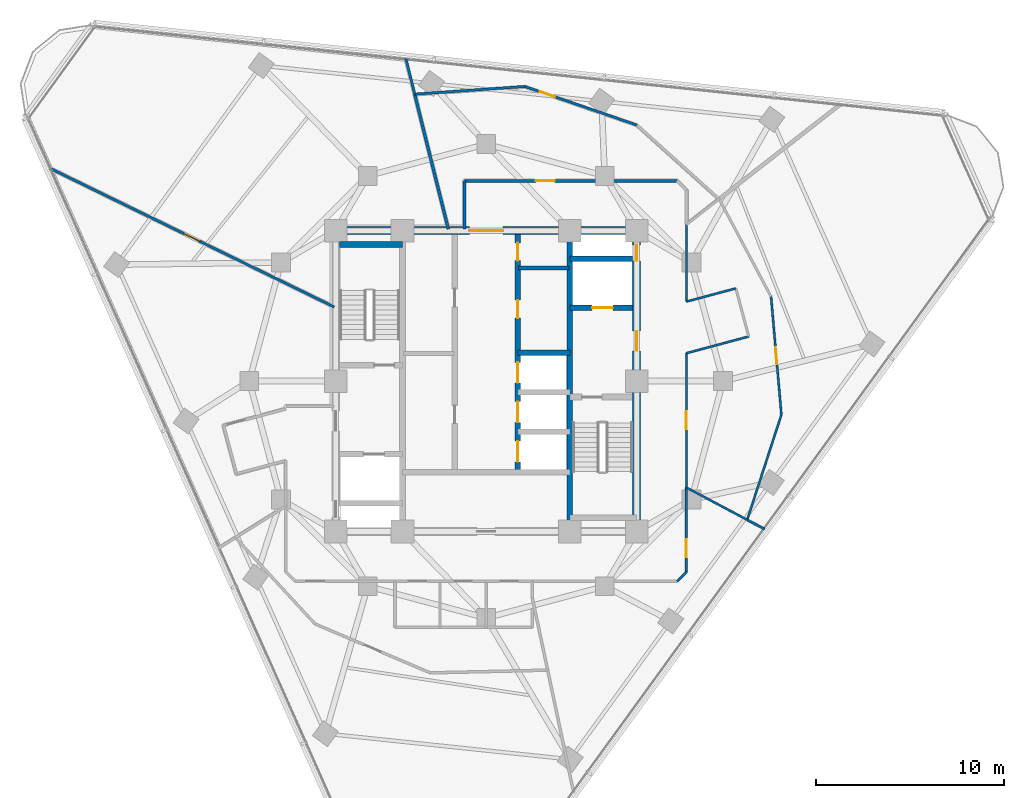
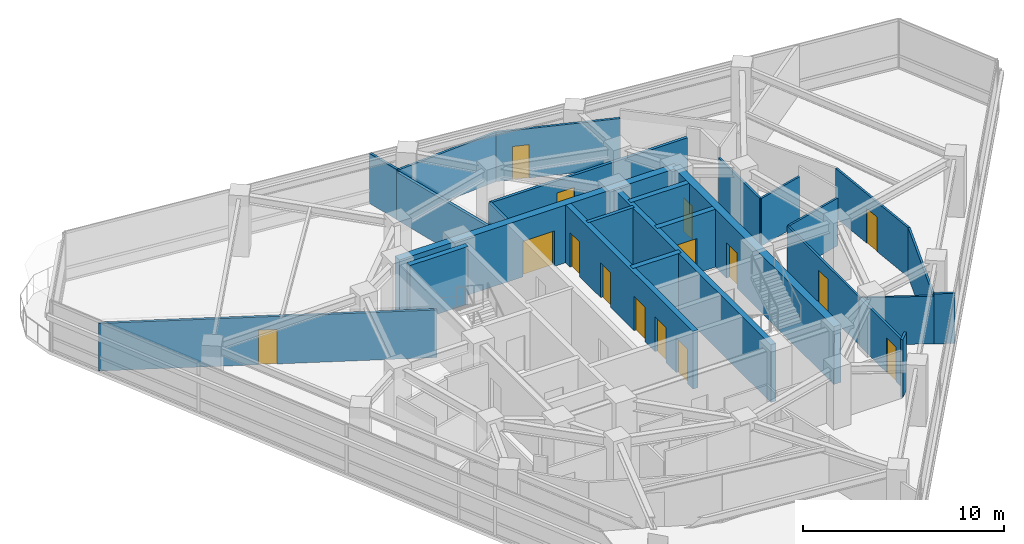
# One storey, part 9 of 14: 26 walls, 15 doors, 15 openings.
"""IFC4 building model written with IfcOpenShell, lengths in metres."""

import ifcopenshell
import ifcopenshell.guid

model = None  # the IFC model being written
_history = None  # IfcOwnerHistory: only IFC2X3 demands one
_inside = {}  # id of a spatial element -> (the spatial element, [elements in it])
_under = {}  # id of a project, library or spatial element -> (it, [spatial elements below it])
_declared = {}  # id of a project -> (the project, [libraries it declares])
_typed = {}  # id of a type object -> (the type object, [elements of that type])
_made_of = {}  # id of a material, layer set ... -> (it, [elements and type objects made of it])


def new_model(schema):
    """Start an empty IFC model of exactly this schema.

    Asked for "IFC4X3", IfcOpenShell would pick the latest addendum, in which some entities
    have other attributes; the version numbers below select the first issue.
    IFC2X3 requires an IfcOwnerHistory on every rooted entity: one is made here for all.
    """
    global model, _history
    if schema == "IFC4X3":
        model = ifcopenshell.file(schema_version=(4, 3, 0, 0))
    else:
        model = ifcopenshell.file(schema=schema)
    _inside.clear()
    _under.clear()
    _declared.clear()
    _typed.clear()
    _made_of.clear()
    _history = None
    if model.schema == "IFC2X3":
        org = make("IfcOrganization", Name="unknown")
        user = make(
            "IfcPersonAndOrganization",
            ThePerson=make("IfcPerson", FamilyName="unknown"),
            TheOrganization=org,
        )
        app = make(
            "IfcApplication",
            ApplicationDeveloper=org,
            Version="unknown",
            ApplicationFullName="unknown",
            ApplicationIdentifier="unknown",
        )
        _history = make(
            "IfcOwnerHistory",
            OwningUser=user,
            OwningApplication=app,
            ChangeAction="ADDED",
            CreationDate=0,
        )
    return model


def make(cls, **values):
    """One entity of the class cls with the attributes given. An attribute that is None is left unset."""
    return model.create_entity(
        cls, **{name: value for name, value in values.items() if value is not None}
    )


def rooted(cls, **values):
    """An entity with a GlobalId (a new one), such as an element, a storey or a relation."""
    return make(cls, GlobalId=ifcopenshell.guid.new(), OwnerHistory=_history, **values)


def si_unit(unit_type, name, prefix=None):
    """IfcSIUnit, for example si_unit("LENGTHUNIT", "METRE", prefix="MILLI")."""
    return make("IfcSIUnit", UnitType=unit_type, Prefix=prefix, Name=name)


def assignment(units):
    """IfcUnitAssignment: the units of a project."""
    return None if units is None else make("IfcUnitAssignment", Units=units)


def point(xyz):
    """IfcCartesianPoint."""
    return None if xyz is None else make("IfcCartesianPoint", Coordinates=xyz)


def direction(xyz):
    """IfcDirection."""
    return None if xyz is None else make("IfcDirection", DirectionRatios=xyz)


def frame(location, z_axis=None, x_axis=None):
    """IfcAxis2Placement3D, a coordinate frame: its origin and axes. An axis left out is left unset."""
    return make(
        "IfcAxis2Placement3D",
        Location=point(location),
        Axis=direction(z_axis),
        RefDirection=direction(x_axis),
    )


def frame_2d(location, x_axis=None):
    """IfcAxis2Placement2D, a coordinate frame in the plane: its origin and x axis."""
    return make(
        "IfcAxis2Placement2D", Location=point(location), RefDirection=direction(x_axis)
    )


def origin():
    """The frame at (0, 0, 0) with its axes left unset."""
    return frame((0.0, 0.0, 0.0))


def place(relative_to, where):
    """IfcLocalPlacement: puts the frame where relative to a parent placement (None: the world)."""
    return make(
        "IfcLocalPlacement", PlacementRelTo=relative_to, RelativePlacement=where
    )


def context(
    kind, dimensions, precision=None, world=None, true_north=None, identifier=None
):
    """IfcGeometricRepresentationContext, for example the 3D "Model" context."""
    return make(
        "IfcGeometricRepresentationContext",
        ContextIdentifier=identifier,
        ContextType=kind,
        CoordinateSpaceDimension=dimensions,
        Precision=precision,
        WorldCoordinateSystem=world,
        TrueNorth=true_north,
    )


def subcontext(parent, identifier, kind, view, scale=None):
    """IfcGeometricRepresentationSubContext, for example "Body" below "Model"."""
    return make(
        "IfcGeometricRepresentationSubContext",
        ContextIdentifier=identifier,
        ContextType=kind,
        ParentContext=parent,
        TargetScale=scale,
        TargetView=view,
    )


def project(units=None, contexts=None):
    """IfcProject with its units and contexts."""
    return rooted(
        "IfcProject",
        Name="project",
        RepresentationContexts=contexts,
        UnitsInContext=assignment(units),
    )


def spatial(cls, under=None, at=None, **own):
    """A site, building, storey or space (cls), placed at a placement, below another one or the project."""
    s = rooted(cls, ObjectPlacement=at, **own)
    if under is not None:
        _under.setdefault(under.id(), (under, []))[1].append(s)
    return s


def profile(cls, at=None, kind="AREA", **sizes):
    """A parametric profile (cls). Its sizes go by their IFC names, for example OverallWidth=200.0."""
    return make(cls, ProfileType=kind, Position=at, **sizes)


def rectangle(**sizes):
    """IfcRectangleProfileDef."""
    return profile("IfcRectangleProfileDef", **sizes)


def extrude(swept, where, along, depth):
    """IfcExtrudedAreaSolid: the profile swept, set in the frame where, extruded along a direction by depth."""
    return make(
        "IfcExtrudedAreaSolid",
        SweptArea=swept,
        Position=where,
        ExtrudedDirection=direction(along),
        Depth=depth,
    )


def shape(context_of_items, identifier, shape_type, items):
    """IfcShapeRepresentation: the items that make up one representation, for example the "Body"."""
    return make(
        "IfcShapeRepresentation",
        ContextOfItems=context_of_items,
        RepresentationIdentifier=identifier,
        RepresentationType=shape_type,
        Items=items,
    )


def material(Name=None, Category=None):
    """IfcMaterial."""
    return make("IfcMaterial", Name=Name, Category=Category)


def layer(
    of_material, thickness, ventilated=None, Name=None, Category=None, Priority=None
):
    """IfcMaterialLayer: one layer of a wall or slab, of a material (None: an air gap)."""
    return make(
        "IfcMaterialLayer",
        Material=of_material,
        LayerThickness=thickness,
        IsVentilated=ventilated,
        Name=Name,
        Category=Category,
        Priority=Priority,
    )


def layer_set(layers, Name=None):
    """IfcMaterialLayerSet."""
    return make("IfcMaterialLayerSet", MaterialLayers=layers, LayerSetName=Name)


def made_of(thing, what):
    """Note that an element or type object is made of a material, layer set ...; save() writes the relation."""
    if what is not None:
        _made_of.setdefault(what.id(), (what, []))[1].append(thing)
    return thing


def type_object(cls, material=None, **own):
    """A type object (cls), such as IfcWallType, which elements share."""
    return made_of(rooted(cls, **own), material)


def element(
    cls,
    number,
    at=None,
    inside=None,
    cuts=None,
    type_object=None,
    material=None,
    context=None,
    identifier="Body",
    shape_type=None,
    held_by="IfcProductDefinitionShape",
    body=None,
    shapes=None,
    **own,
):
    """One element of the class cls, such as IfcWall. Its Tag is "e" and its number.

    at: its placement. inside: the storey or other place that contains it. cuts: it is an
    opening in that element (IfcRelVoidsElement). A single representation is given by context,
    identifier, shape_type and body (its items); several are given by shapes. held_by: the class
    of the entity that holds the representations. save() writes the other relations.
    """
    e = rooted(cls, Tag="e%d" % number, ObjectPlacement=at, **own)
    if body is not None:
        shapes = [shape(context, identifier, shape_type, body)]
    if shapes is not None:
        e.Representation = make(held_by, Representations=shapes)
    if inside is not None:
        _inside.setdefault(inside.id(), (inside, []))[1].append(e)
    if cuts is not None:
        rooted(
            "IfcRelVoidsElement", RelatingBuildingElement=cuts, RelatedOpeningElement=e
        )
    if type_object is not None:
        _typed.setdefault(type_object.id(), (type_object, []))[1].append(e)
    return made_of(e, material)


def fill(opening, filler):
    """IfcRelFillsElement: the door or window that sits in an opening."""
    return rooted(
        "IfcRelFillsElement",
        RelatingOpeningElement=opening,
        RelatedBuildingElement=filler,
    )


def aggregate(whole, parts):
    """IfcRelAggregates: a whole, such as a stair, and the parts it consists of."""
    return rooted("IfcRelAggregates", RelatingObject=whole, RelatedObjects=parts)


def save(model, path):
    """Write the relations noted so far, then the file.

    IfcRelAggregates (storeys below a building ...), IfcRelContainedInSpatialStructure (elements
    in a storey), IfcRelDefinesByType, IfcRelAssociatesMaterial and IfcRelDeclares: one each for
    every whole, place, type object, material and project.
    """
    for whole, parts in _under.values():
        aggregate(whole, parts)
    for where, things in _inside.values():
        rooted(
            "IfcRelContainedInSpatialStructure",
            RelatedElements=things,
            RelatingStructure=where,
        )
    for kind, things in _typed.values():
        rooted("IfcRelDefinesByType", RelatedObjects=things, RelatingType=kind)
    for what, things in _made_of.values():
        rooted("IfcRelAssociatesMaterial", RelatedObjects=things, RelatingMaterial=what)
    for by, libraries in _declared.values():
        rooted("IfcRelDeclares", RelatingContext=by, RelatedDefinitions=libraries)
    model.write(path)


model = new_model("IFC4")

# Units and contexts
model_context = context("Model", 3, precision=1e-05, world=origin(), true_north=direction((0.0, 1.0)))
body_context = subcontext(model_context, "Body", "Model", "MODEL_VIEW")
ifc_project = project(units=[si_unit("LENGTHUNIT", "METRE"), si_unit("AREAUNIT", "SQUARE_METRE"), si_unit("VOLUMEUNIT", "CUBIC_METRE"), si_unit("PLANEANGLEUNIT", "RADIAN"), si_unit("MASSUNIT", "GRAM", prefix="KILO")], contexts=[model_context])

# Site, building, storey
site_placement = place(None, origin())
site = spatial("IfcSite", under=ifc_project, at=site_placement, CompositionType="ELEMENT")
building_placement = place(site_placement, origin())
building = spatial("IfcBuilding", under=site, at=building_placement, Name="Terralouvre Media Tower", CompositionType="ELEMENT")
storey_placement = place(building_placement, frame((0.0, 0.0, 218.89990234375)))
storey = spatial("IfcBuildingStorey", under=building, at=storey_placement, Name="L56", CompositionType="ELEMENT", Elevation=218.89990234375)

# Walls
ifc_material_1 = material(Name="Concrete C50/60", Category="concrete")
ifc_layer_1 = layer(ifc_material_1, 0.300048828125, Name="Core Internal Shaft Wall CW-300")
ifc_layer_set_1 = layer_set([ifc_layer_1], Name="Concrete C50/60")
wall_type_1 = type_object("IfcWallType", Name="Core Internal Shaft Wall CW-300", PredefinedType="SHEAR", material=ifc_layer_set_1)
wall_1_placement = place(storey_placement, frame((4.449951171875, -7.7900390625, 0.0), z_axis=(0.0, 0.0, 1.0), x_axis=(0.0, 1.0, 0.0)))
element("IfcWall", 1, at=wall_1_placement, inside=storey, type_object=wall_type_1, Name="L56 Core Shaft Wall SPE", PredefinedType="SHEAR", context=body_context, shape_type="SweptSolid", body=[
    extrude(rectangle(XDim=15.580078125, YDim=0.300048828125, at=frame_2d((7.7900390625, 0.0))), origin(), (0.0, 0.0, 1.0), 3.5),
])
wall_2_placement = place(storey_placement, frame((-7.7900390625, 7.260009765625, 0.0), z_axis=(0.0, 0.0, 1.0), x_axis=(1.0, 0.0, 0.0)))
element("IfcWall", 2, at=wall_2_placement, inside=storey, type_object=wall_type_1, Name="L56 Core Shaft Wall ST1F", PredefinedType="SHEAR", context=body_context, shape_type="SweptSolid", body=[
    extrude(rectangle(XDim=3.340087890625, YDim=0.300048828125, at=frame_2d((1.669921875, 0.0))), origin(), (0.0, 0.0, 1.0), 3.5),
])

# Wall, opening, door
wall_3_placement = place(storey_placement, frame((4.449951171875, 3.89990234375, 0.0), z_axis=(0.0, 0.0, 1.0), x_axis=(1.0, 0.0, 0.0)))
wall_3 = element("IfcWall", 3, at=wall_3_placement, inside=storey, type_object=wall_type_1, Name="L56 Core Shaft Wall FF2S", PredefinedType="SHEAR", context=body_context, shape_type="SweptSolid", body=[
    extrude(rectangle(XDim=3.340087890625, YDim=0.300048828125, at=frame_2d((1.669921875, 0.0))), origin(), (0.0, 0.0, 1.0), 3.5),
])
opening_1_placement = place(wall_3_placement, frame((1.179931640625, 0.0, 0.0)))
opening_1 = element("IfcOpeningElement", 4, at=opening_1_placement, cuts=wall_3, Name="Opening LD-FF", PredefinedType="OPENING", context=body_context, shape_type="SweptSolid", body=[
    extrude(rectangle(XDim=1.10009765625, YDim=2.10009765625, at=frame_2d((0.550048828125, 1.050048828125))), frame((0.0, 0.159912109375, 0.0), z_axis=(0.0, -1.0, 0.0), x_axis=(1.0, 0.0, 0.0)), (0.0, 0.0, 1.0), 0.320068359375),
])
ifc_material_2 = material(Name="Stainless steel 316 handrail and balustrade", Category="steel")
door_type_1 = type_object("IfcDoorType", Name="Firefighting Lift Sliding Landing Door LD-FF", OperationType="SLIDING_TO_LEFT", PredefinedType="DOOR", material=ifc_material_2)
door_1_placement = place(opening_1_placement, origin())
door_1 = element("IfcDoor", 5, at=door_1_placement, inside=storey, type_object=door_type_1, Name="L56 Firefighting Lift FFL-02 Landing Door", OperationType="SLIDING_TO_LEFT", OverallHeight=2.10009765625, OverallWidth=1.10009765625, PredefinedType="DOOR", context=body_context, shape_type="SweptSolid", body=[
    extrude(rectangle(XDim=1.10009765625, YDim=2.10009765625, at=frame_2d((0.550048828125, 1.050048828125))), frame((0.0, 0.02490234375, 0.0), z_axis=(0.0, -1.0, 0.0), x_axis=(1.0, 0.0, 0.0)), (0.0, 0.0, 1.0), 0.050048828125),
])
fill(opening_1, door_1)

# Wall
wall_4_placement = place(storey_placement, frame((4.449951171875, 6.5, 0.0), z_axis=(0.0, 0.0, 1.0), x_axis=(1.0, 0.0, 0.0)))
element("IfcWall", 6, at=wall_4_placement, inside=storey, type_object=wall_type_1, Name="L56 Core Shaft Wall FF2N", PredefinedType="SHEAR", context=body_context, shape_type="SweptSolid", body=[
    extrude(rectangle(XDim=3.340087890625, YDim=0.300048828125, at=frame_2d((1.669921875, 0.0))), origin(), (0.0, 0.0, 1.0), 3.5),
])

# Wall, openings, doors
wall_5_placement = place(storey_placement, frame((1.679931640625, -4.85009765625, 0.0), z_axis=(0.0, 0.0, 1.0), x_axis=(0.0, 1.0, 0.0)))
wall_5 = element("IfcWall", 7, at=wall_5_placement, inside=storey, type_object=wall_type_1, Name="L56 Core Shaft Wall LBE", PredefinedType="SHEAR", context=body_context, shape_type="SweptSolid", body=[
    extrude(rectangle(XDim=12.64013671875, YDim=0.300048828125, at=frame_2d((6.320068359375, 0.0))), origin(), (0.0, 0.0, 1.0), 3.5),
])
opening_2_placement = place(wall_5_placement, frame((0.550048828125, 0.0, 0.0)))
opening_2 = element("IfcOpeningElement", 8, at=opening_2_placement, cuts=wall_5, Name="Opening LD-PL", PredefinedType="OPENING", context=body_context, shape_type="SweptSolid", body=[
    extrude(rectangle(XDim=1.10009765625, YDim=2.10009765625, at=frame_2d((0.550048828125, 1.050048828125))), frame((0.0, 0.159912109375, 0.0), z_axis=(0.0, -1.0, 0.0), x_axis=(1.0, 0.0, 0.0)), (0.0, 0.0, 1.0), 0.320068359375),
])
opening_3_placement = place(wall_5_placement, frame((2.64990234375, 0.0, 0.0)))
opening_3 = element("IfcOpeningElement", 9, at=opening_3_placement, cuts=wall_5, Name="Opening LD-PL", PredefinedType="OPENING", context=body_context, shape_type="SweptSolid", body=[
    extrude(rectangle(XDim=1.10009765625, YDim=2.10009765625, at=frame_2d((0.550048828125, 1.050048828125))), frame((0.0, 0.159912109375, 0.0), z_axis=(0.0, -1.0, 0.0), x_axis=(1.0, 0.0, 0.0)), (0.0, 0.0, 1.0), 0.320068359375),
])
opening_4_placement = place(wall_5_placement, frame((4.75, 0.0, 0.0)))
opening_4 = element("IfcOpeningElement", 10, at=opening_4_placement, cuts=wall_5, Name="Opening LD-PL", PredefinedType="OPENING", context=body_context, shape_type="SweptSolid", body=[
    extrude(rectangle(XDim=1.10009765625, YDim=2.10009765625, at=frame_2d((0.550048828125, 1.050048828125))), frame((0.0, 0.159912109375, 0.0), z_axis=(0.0, -1.0, 0.0), x_axis=(1.0, 0.0, 0.0)), (0.0, 0.0, 1.0), 0.320068359375),
])
opening_5_placement = place(wall_5_placement, frame((8.199951171875, 0.0, 0.0)))
opening_5 = element("IfcOpeningElement", 11, at=opening_5_placement, cuts=wall_5, Name="Opening FD-02-95X210", PredefinedType="OPENING", context=body_context, shape_type="SweptSolid", body=[
    extrude(rectangle(XDim=0.949951171875, YDim=2.10009765625, at=frame_2d((0.47509765625, 1.050048828125))), frame((0.0, 0.159912109375, 0.0), z_axis=(0.0, -1.0, 0.0), x_axis=(1.0, 0.0, 0.0)), (0.0, 0.0, 1.0), 0.320068359375),
])
opening_6_placement = place(wall_5_placement, frame((11.25, 0.0, 0.0)))
opening_6 = element("IfcOpeningElement", 12, at=opening_6_placement, cuts=wall_5, Name="Opening SD-02", PredefinedType="OPENING", context=body_context, shape_type="SweptSolid", body=[
    extrude(rectangle(XDim=0.949951171875, YDim=2.10009765625, at=frame_2d((0.47509765625, 1.050048828125))), frame((0.0, 0.159912109375, 0.0), z_axis=(0.0, -1.0, 0.0), x_axis=(1.0, 0.0, 0.0)), (0.0, 0.0, 1.0), 0.320068359375),
])
ifc_material_3 = material(Name="Galvanised steel fire-resisting leaf", Category="steel")
door_type_2 = type_object("IfcDoorType", Name="Core Service Sliding Fire Door SD-02", OperationType="SLIDING_TO_LEFT", PredefinedType="DOOR", material=ifc_material_3)
door_2_placement = place(opening_6_placement, origin())
door_2 = element("IfcDoor", 13, at=door_2_placement, inside=storey, type_object=door_type_2, Name="L56 Core Hospitality Store Door", OperationType="SLIDING_TO_LEFT", OverallHeight=2.10009765625, OverallWidth=0.949951171875, PredefinedType="DOOR", context=body_context, shape_type="SweptSolid", body=[
    extrude(rectangle(XDim=0.949951171875, YDim=2.10009765625, at=frame_2d((0.47509765625, 1.050048828125))), frame((0.0, 0.02490234375, 0.0), z_axis=(0.0, -1.0, 0.0), x_axis=(1.0, 0.0, 0.0)), (0.0, 0.0, 1.0), 0.050048828125),
])
fill(opening_6, door_2)
ifc_material_4 = material(Name="Stainless steel 316 handrail and balustrade", Category="steel")
door_type_3 = type_object("IfcDoorType", Name="Passenger Lift Sliding Landing Door LD-PL", OperationType="SLIDING_TO_LEFT", PredefinedType="DOOR", material=ifc_material_4)
door_3_placement = place(opening_2_placement, origin())
door_3 = element("IfcDoor", 14, at=door_3_placement, inside=storey, type_object=door_type_3, Name="L56 High-Rise Lift PL-H1 Landing Door", OperationType="SLIDING_TO_LEFT", OverallHeight=2.10009765625, OverallWidth=1.10009765625, PredefinedType="DOOR", context=body_context, shape_type="SweptSolid", body=[
    extrude(rectangle(XDim=1.10009765625, YDim=2.10009765625, at=frame_2d((0.550048828125, 1.050048828125))), frame((0.0, 0.02490234375, 0.0), z_axis=(0.0, -1.0, 0.0), x_axis=(1.0, 0.0, 0.0)), (0.0, 0.0, 1.0), 0.050048828125),
])
fill(opening_2, door_3)
door_4_placement = place(opening_3_placement, origin())
door_4 = element("IfcDoor", 15, at=door_4_placement, inside=storey, type_object=door_type_3, Name="L56 High-Rise Lift PL-H2 Landing Door", OperationType="SLIDING_TO_LEFT", OverallHeight=2.10009765625, OverallWidth=1.10009765625, PredefinedType="DOOR", context=body_context, shape_type="SweptSolid", body=[
    extrude(rectangle(XDim=1.10009765625, YDim=2.10009765625, at=frame_2d((0.550048828125, 1.050048828125))), frame((0.0, 0.02490234375, 0.0), z_axis=(0.0, -1.0, 0.0), x_axis=(1.0, 0.0, 0.0)), (0.0, 0.0, 1.0), 0.050048828125),
])
fill(opening_3, door_4)
door_5_placement = place(opening_4_placement, origin())
door_5 = element("IfcDoor", 16, at=door_5_placement, inside=storey, type_object=door_type_3, Name="L56 High-Rise Lift PL-H3 Landing Door", OperationType="SLIDING_TO_LEFT", OverallHeight=2.10009765625, OverallWidth=1.10009765625, PredefinedType="DOOR", context=body_context, shape_type="SweptSolid", body=[
    extrude(rectangle(XDim=1.10009765625, YDim=2.10009765625, at=frame_2d((0.550048828125, 1.050048828125))), frame((0.0, 0.02490234375, 0.0), z_axis=(0.0, -1.0, 0.0), x_axis=(1.0, 0.0, 0.0)), (0.0, 0.0, 1.0), 0.050048828125),
])
fill(opening_4, door_5)
ifc_material_5 = material(Name="Galvanised steel fire-resisting leaf", Category="steel")
door_type_4 = type_object("IfcDoorType", Name="Plant and Riser Fire Door FD-02 (950x2100)", OperationType="NOTDEFINED", PredefinedType="DOOR", material=ifc_material_5)
door_6_placement = place(opening_5_placement, origin())
door_6 = element("IfcDoor", 17, at=door_6_placement, inside=storey, type_object=door_type_4, Name="L56 Core Telemetry Plant Door", OperationType="SINGLE_SWING_RIGHT", OverallHeight=2.10009765625, OverallWidth=0.949951171875, PredefinedType="DOOR", context=body_context, shape_type="SweptSolid", body=[
    extrude(rectangle(XDim=0.949951171875, YDim=2.10009765625, at=frame_2d((0.47509765625, 1.050048828125))), frame((0.0, 0.02490234375, 0.0), z_axis=(0.0, -1.0, 0.0), x_axis=(1.0, 0.0, 0.0)), (0.0, 0.0, 1.0), 0.050048828125),
])
fill(opening_5, door_6)

# Wall
wall_6_placement = place(storey_placement, frame((1.679931640625, 1.5, 0.0), z_axis=(0.0, 0.0, 1.0), x_axis=(1.0, 0.0, 0.0)))
element("IfcWall", 18, at=wall_6_placement, inside=storey, type_object=wall_type_1, Name="L56 Core Shaft Wall PLMBOT", PredefinedType="SHEAR", context=body_context, shape_type="SweptSolid", body=[
    extrude(rectangle(XDim=2.77001953125, YDim=0.300048828125, at=frame_2d((1.385009765625, 0.0))), origin(), (0.0, 0.0, 1.0), 3.5),
])

# Wall, openings, doors
ifc_material_6 = material(Name="Concrete C60/75", Category="concrete")
ifc_layer_2 = layer(ifc_material_6, 0.419921875, Name="Core Reinforced Concrete Shear Wall CW-420")
ifc_layer_set_2 = layer_set([ifc_layer_2], Name="Concrete C60/75")
wall_type_2 = type_object("IfcWallType", Name="Core Reinforced Concrete Shear Wall CW-420", PredefinedType="SHEAR", material=ifc_layer_set_2)
wall_7_placement = place(storey_placement, frame((8.0, -8.0, 0.0), z_axis=(0.0, 0.0, 1.0), x_axis=(0.0, 1.0, 0.0)))
wall_7 = element("IfcWall", 19, at=wall_7_placement, inside=storey, type_object=wall_type_2, Name="L56 E Core Shear Wall", PredefinedType="SHEAR", context=body_context, shape_type="SweptSolid", body=[
    extrude(rectangle(XDim=16.0, YDim=0.419921875, at=frame_2d((8.0, 0.0))), origin(), (0.0, 0.0, 1.0), 3.5),
])
opening_7_placement = place(wall_7_placement, frame((9.60009765625, 0.0, 0.0)))
opening_7 = element("IfcOpeningElement", 20, at=opening_7_placement, cuts=wall_7, Name="Opening FD-01-105X215", PredefinedType="OPENING", context=body_context, shape_type="SweptSolid", body=[
    extrude(rectangle(XDim=1.050048828125, YDim=2.14990234375, at=frame_2d((0.52490234375, 1.074951171875))), frame((0.0, 0.219970703125, 0.0), z_axis=(0.0, -1.0, 0.0), x_axis=(1.0, 0.0, 0.0)), (0.0, 0.0, 1.0), 0.43994140625),
])
opening_8_placement = place(wall_7_placement, frame((14.388671875, 0.0, 0.0)))
opening_8 = element("IfcOpeningElement", 21, at=opening_8_placement, cuts=wall_7, Name="Opening TD-R1", PredefinedType="OPENING", context=body_context, shape_type="SweptSolid", body=[
    extrude(rectangle(XDim=0.85009765625, YDim=2.02001953125, at=frame_2d((0.425048828125, 1.010009765625))), frame((0.0, 0.219970703125, 0.0), z_axis=(0.0, -1.0, 0.0), x_axis=(1.0, 0.0, 0.0)), (0.0, 0.0, 1.0), 0.43994140625),
])
ifc_material_7 = material(Name="Galvanised steel fire-resisting leaf", Category="steel")
door_type_5 = type_object("IfcDoorType", Name="Riser Inspection Access Trapdoor TD-R1", OperationType="NOTDEFINED", PredefinedType="TRAPDOOR", material=ifc_material_7)
door_7_placement = place(opening_8_placement, origin())
door_7 = element("IfcDoor", 22, at=door_7_placement, inside=storey, type_object=door_type_5, Name="L56 East Comms Riser Access Trapdoor", OperationType="SINGLE_SWING_RIGHT", OverallHeight=2.02001953125, OverallWidth=0.85009765625, PredefinedType="TRAPDOOR", context=body_context, shape_type="SweptSolid", body=[
    extrude(rectangle(XDim=0.85009765625, YDim=2.02001953125, at=frame_2d((0.425048828125, 1.010009765625))), frame((0.0, 0.02490234375, 0.0), z_axis=(0.0, -1.0, 0.0), x_axis=(1.0, 0.0, 0.0)), (0.0, 0.0, 1.0), 0.050048828125),
])
fill(opening_8, door_7)
ifc_material_8 = material(Name="Galvanised steel fire-resisting leaf", Category="steel")
door_type_6 = type_object("IfcDoorType", Name="Stair and Firefighting Lobby Fire Door FD-01 (1050x2150)", OperationType="NOTDEFINED", PredefinedType="DOOR", material=ifc_material_8)
door_8_placement = place(opening_7_placement, origin())
door_8 = element("IfcDoor", 23, at=door_8_placement, inside=storey, type_object=door_type_6, Name="L56 East Firefighting Lobby Entry Door", OperationType="SINGLE_SWING_LEFT", OverallHeight=2.14990234375, OverallWidth=1.050048828125, PredefinedType="DOOR", context=body_context, shape_type="SweptSolid", body=[
    extrude(rectangle(XDim=1.050048828125, YDim=2.14990234375, at=frame_2d((0.52490234375, 1.074951171875))), frame((0.0, 0.02490234375, 0.0), z_axis=(0.0, -1.0, 0.0), x_axis=(1.0, 0.0, 0.0)), (0.0, 0.0, 1.0), 0.050048828125),
])
fill(opening_7, door_8)

# Wall, opening, door
wall_8_placement = place(storey_placement, frame((-8.0, 8.0, 0.0), z_axis=(0.0, 0.0, 1.0), x_axis=(1.0, 0.0, 0.0)))
wall_8 = element("IfcWall", 24, at=wall_8_placement, inside=storey, type_object=wall_type_2, Name="L56 N Core Shear Wall", PredefinedType="SHEAR", context=body_context, shape_type="SweptSolid", body=[
    extrude(rectangle(XDim=16.0, YDim=0.419921875, at=frame_2d((8.0, 0.0))), origin(), (0.0, 0.0, 1.0), 3.5),
])
opening_9_placement = place(wall_8_placement, frame((7.10009765625, 0.0, 0.0)))
opening_9 = element("IfcOpeningElement", 25, at=opening_9_placement, cuts=wall_8, Name="Opening FD-03", PredefinedType="OPENING", context=body_context, shape_type="SweptSolid", body=[
    extrude(rectangle(XDim=1.800048828125, YDim=2.14990234375, at=frame_2d((0.89990234375, 1.074951171875))), frame((0.0, 0.219970703125, 0.0), z_axis=(0.0, -1.0, 0.0), x_axis=(1.0, 0.0, 0.0)), (0.0, 0.0, 1.0), 0.43994140625),
])
ifc_material_9 = material(Name="Galvanised steel fire-resisting leaf", Category="steel")
door_type_7 = type_object("IfcDoorType", Name="Corridor Smoke-Control Double Door FD-03", OperationType="DOUBLE_DOOR_SINGLE_SWING", PredefinedType="DOOR", material=ifc_material_9)
door_9_placement = place(opening_9_placement, origin())
door_9 = element("IfcDoor", 26, at=door_9_placement, inside=storey, type_object=door_type_7, Name="L56 Central Lift Lobby Portal Door", OperationType="DOUBLE_DOOR_SINGLE_SWING", OverallHeight=2.14990234375, OverallWidth=1.800048828125, PredefinedType="DOOR", context=body_context, shape_type="SweptSolid", body=[
    extrude(rectangle(XDim=1.800048828125, YDim=2.14990234375, at=frame_2d((0.89990234375, 1.074951171875))), frame((0.0, 0.02490234375, 0.0), z_axis=(0.0, -1.0, 0.0), x_axis=(1.0, 0.0, 0.0)), (0.0, 0.0, 1.0), 0.050048828125),
])
fill(opening_9, door_9)

# Walls
ifc_material_10 = material(Name="Fire-rated gypsum board drywall partition")
ifc_layer_3 = layer(ifc_material_10, 0.199951171875, Name="Fire-Rated Shaft and Lobby Partition FW-200")
ifc_layer_set_3 = layer_set([ifc_layer_3], Name="Fire-rated gypsum board drywall partition")
wall_type_3 = type_object("IfcWallType", Name="Fire-Rated Shaft and Lobby Partition FW-200", PredefinedType="SOLIDWALL", material=ifc_layer_set_3)
wall_9_placement = place(storey_placement, frame((1.719970703125, 6.010009765625, 0.0), z_axis=(0.0, 0.0, 1.0), x_axis=(1.0, 0.0, 0.0)))
element("IfcWall", 27, at=wall_9_placement, inside=storey, type_object=wall_type_3, Name="L56 Core East Sub-Partition 1", PredefinedType="SOLIDWALL", context=body_context, shape_type="SweptSolid", body=[
    extrude(rectangle(XDim=2.679931640625, YDim=0.199951171875, at=frame_2d((1.33984375, 0.0))), origin(), (0.0, 0.0, 1.0), 3.5),
])
ifc_material_11 = material(Name="Fire-rated gypsum board drywall partition")
ifc_layer_4 = layer(ifc_material_11, 0.135009765625, Name="Newsroom Acoustic Partition PT-135")
ifc_layer_set_4 = layer_set([ifc_layer_4], Name="Fire-rated gypsum board drywall partition")
wall_type_4 = type_object("IfcWallType", Name="Newsroom Acoustic Partition PT-135", PredefinedType="PARTITIONING", material=ifc_layer_set_4)
wall_10_placement = place(storey_placement, frame((10.14990234375, -10.64990234375, 0.0), z_axis=(0.0, 0.0, 1.0), x_axis=(0.707106781187, 0.707106781187, 0.0)))
element("IfcWall", 28, at=wall_10_placement, inside=storey, type_object=wall_type_4, Name="L56 Interior Partition 018", PredefinedType="PARTITIONING", context=body_context, shape_type="SweptSolid", body=[
    extrude(rectangle(XDim=0.70703125, YDim=0.135009765625, at=frame_2d((0.353515625, 0.0))), origin(), (0.0, 0.0, 1.0), 3.5),
])

# Wall, opening, door
wall_11_placement = place(storey_placement, frame((10.64990234375, -10.14990234375, 0.0), z_axis=(0.0, 0.0, 1.0), x_axis=(0.0, 1.0, 0.0)))
wall_11 = element("IfcWall", 29, at=wall_11_placement, inside=storey, type_object=wall_type_4, Name="L56 Interior Partition 019", PredefinedType="PARTITIONING", context=body_context, shape_type="SweptSolid", body=[
    extrude(rectangle(XDim=4.48681640625, YDim=0.135009765625, at=frame_2d((2.243408203125, 0.0))), origin(), (0.0, 0.0, 1.0), 2.885009765625),
])
opening_10_placement = place(wall_11_placement, frame((0.781494140625, 0.0, 0.0)))
opening_10 = element("IfcOpeningElement", 30, at=opening_10_placement, cuts=wall_11, Name="Opening ID-02-95X210", PredefinedType="OPENING", context=body_context, shape_type="SweptSolid", body=[
    extrude(rectangle(XDim=0.949951171875, YDim=2.10009765625, at=frame_2d((0.47509765625, 1.050048828125))), frame((0.0, 0.077392578125, 0.0), z_axis=(0.0, -1.0, 0.0), x_axis=(1.0, 0.0, 0.0)), (0.0, 0.0, 1.0), 0.155029296875),
])
ifc_material_12 = material(Name="Engineered hardwood acoustic timber leaf", Category="wood")
door_type_8 = type_object("IfcDoorType", Name="Office and Meeting Room Door ID-02 (950x2100)", OperationType="NOTDEFINED", PredefinedType="DOOR", material=ifc_material_12)
door_10_placement = place(opening_10_placement, origin())
door_10 = element("IfcDoor", 31, at=door_10_placement, inside=storey, type_object=door_type_8, Name="L56 VIP Visitor Reception 5 Door", OperationType="SINGLE_SWING_RIGHT", OverallHeight=2.10009765625, OverallWidth=0.949951171875, PredefinedType="DOOR", context=body_context, shape_type="SweptSolid", body=[
    extrude(rectangle(XDim=0.949951171875, YDim=2.10009765625, at=frame_2d((0.47509765625, 1.050048828125))), frame((0.0, 0.02490234375, 0.0), z_axis=(0.0, -1.0, 0.0), x_axis=(1.0, 0.0, 0.0)), (0.0, 0.0, 1.0), 0.050048828125),
])
fill(opening_10, door_10)

wall_12_placement = place(storey_placement, frame((-8.080078125, 3.940673828125, 0.0), z_axis=(0.0, 0.0, 1.0), x_axis=(-0.898787530524, 0.438384505856, 0.0)))
wall_12 = element("IfcWall", 32, at=wall_12_placement, inside=storey, type_object=wall_type_4, Name="L56 Interior Partition 026", PredefinedType="PARTITIONING", context=body_context, shape_type="SweptSolid", body=[
    extrude(rectangle(XDim=16.842529296875, YDim=0.135009765625, at=frame_2d((8.42138671875, 0.0))), origin(), (0.0, 0.0, 1.0), 2.885009765625),
])
opening_11_placement = place(wall_12_placement, frame((7.96142578125, 0.0, 0.0)))
opening_11 = element("IfcOpeningElement", 33, at=opening_11_placement, cuts=wall_12, Name="Opening ID-03-92X210", PredefinedType="OPENING", context=body_context, shape_type="SweptSolid", body=[
    extrude(rectangle(XDim=0.919921875, YDim=2.10009765625, at=frame_2d((0.4599609375, 1.050048828125))), frame((0.0, 0.077392578125, 0.0), z_axis=(0.0, -1.0, 0.0), x_axis=(1.0, 0.0, 0.0)), (0.0, 0.0, 1.0), 0.155029296875),
])
ifc_material_13 = material(Name="Engineered hardwood acoustic timber leaf", Category="wood")
door_type_9 = type_object("IfcDoorType", Name="Accessible Restroom and Suite Door ID-03 (920x2100)", OperationType="NOTDEFINED", PredefinedType="DOOR", material=ifc_material_13)
door_11_placement = place(opening_11_placement, origin())
door_11 = element("IfcDoor", 34, at=door_11_placement, inside=storey, type_object=door_type_9, Name="L56 Network Executive Boardroom 9 Door", OperationType="SINGLE_SWING_LEFT", OverallHeight=2.10009765625, OverallWidth=0.919921875, PredefinedType="DOOR", context=body_context, shape_type="SweptSolid", body=[
    extrude(rectangle(XDim=0.919921875, YDim=2.10009765625, at=frame_2d((0.4599609375, 1.050048828125))), frame((0.0, 0.02490234375, 0.0), z_axis=(0.0, -1.0, 0.0), x_axis=(1.0, 0.0, 0.0)), (0.0, 0.0, 1.0), 0.050048828125),
])
fill(opening_11, door_11)

# Walls
wall_13_placement = place(storey_placement, frame((14.805419921875, -7.871826171875, 0.0), z_axis=(0.0, 0.0, 1.0), x_axis=(-0.883242549552, 0.468916409033, 0.0)))
element("IfcWall", 35, at=wall_13_placement, inside=storey, type_object=wall_type_4, Name="L56 Interior Partition 045", PredefinedType="PARTITIONING", context=body_context, shape_type="SweptSolid", body=[
    extrude(rectangle(XDim=1.04638671875, YDim=0.135009765625, at=frame_2d((0.523193359375, 0.0))), origin(), (0.0, 0.0, 1.0), 3.03515625),
])
wall_14_placement = place(storey_placement, frame((-3.802978515625, 15.2548828125, 0.0), z_axis=(0.0, 0.0, 1.0), x_axis=(0.997563622011, 0.069762597718, 0.0)))
element("IfcWall", 36, at=wall_14_placement, inside=storey, type_object=wall_type_4, Name="L56 Interior Partition 047", PredefinedType="PARTITIONING", context=body_context, shape_type="SweptSolid", body=[
    extrude(rectangle(XDim=5.87939453125, YDim=0.135009765625, at=frame_2d((2.939697265625, 0.0))), origin(), (0.0, 0.0, 1.0), 2.985107421875),
])

# Wall, opening, door
wall_15_placement = place(storey_placement, frame((2.06201171875, 15.6650390625, 0.0), z_axis=(0.0, 0.0, 1.0), x_axis=(0.94552565825, -0.32554758422, 0.0)))
wall_15 = element("IfcWall", 37, at=wall_15_placement, inside=storey, type_object=wall_type_4, Name="L56 Interior Partition 048", PredefinedType="PARTITIONING", context=body_context, shape_type="SweptSolid", body=[
    extrude(rectangle(XDim=6.30029296875, YDim=0.135009765625, at=frame_2d((3.150146484375, 0.0))), origin(), (0.0, 0.0, 1.0), 2.985107421875),
])
opening_12_placement = place(wall_15_placement, frame((0.8349609375, 0.0, 0.0)))
opening_12 = element("IfcOpeningElement", 38, at=opening_12_placement, cuts=wall_15, Name="Opening TD-R1", PredefinedType="OPENING", context=body_context, shape_type="SweptSolid", body=[
    extrude(rectangle(XDim=0.85009765625, YDim=2.02001953125, at=frame_2d((0.425048828125, 1.010009765625))), frame((0.0, 0.077392578125, 0.0), z_axis=(0.0, -1.0, 0.0), x_axis=(1.0, 0.0, 0.0)), (0.0, 0.0, 1.0), 0.155029296875),
])
door_12_placement = place(opening_12_placement, origin())
door_12 = element("IfcDoor", 39, at=door_12_placement, inside=storey, type_object=door_type_5, Name="L56 Company Secretary Office 7 Door", OperationType="SINGLE_SWING_RIGHT", OverallHeight=2.02001953125, OverallWidth=0.85009765625, PredefinedType="TRAPDOOR", context=body_context, shape_type="SweptSolid", body=[
    extrude(rectangle(XDim=0.85009765625, YDim=2.02001953125, at=frame_2d((0.425048828125, 1.010009765625))), frame((0.0, 0.02490234375, 0.0), z_axis=(0.0, -1.0, 0.0), x_axis=(1.0, 0.0, 0.0)), (0.0, 0.0, 1.0), 0.050048828125),
])
fill(opening_12, door_12)

# Wall
wall_16_placement = place(storey_placement, frame((-4.275390625, 17.1455078125, 0.0), z_axis=(0.0, 0.0, 1.0), x_axis=(0.242417712213, -0.970171970738, 0.0)))
element("IfcWall", 40, at=wall_16_placement, inside=storey, type_object=wall_type_4, Name="L56 Interior Partition 050", PredefinedType="PARTITIONING", context=body_context, shape_type="SweptSolid", body=[
    extrude(rectangle(XDim=1.94873046875, YDim=0.135009765625, at=frame_2d((0.974365234375, 0.0))), origin(), (0.0, 0.0, 1.0), 3.03515625),
])

# Wall, opening, door
ifc_material_14 = material(Name="Fire-rated gypsum board drywall partition")
ifc_layer_5 = layer(ifc_material_14, 0.114990234375, Name="Restroom and Pantry Partition PT-115")
ifc_layer_set_5 = layer_set([ifc_layer_5], Name="Fire-rated gypsum board drywall partition")
wall_type_5 = type_object("IfcWallType", Name="Restroom and Pantry Partition PT-115", PredefinedType="PARTITIONING", material=ifc_layer_set_5)
wall_17_placement = place(storey_placement, frame((10.64990234375, -5.6630859375, 0.0), z_axis=(0.0, 0.0, 1.0), x_axis=(0.0, 1.0, 0.0)))
wall_17 = element("IfcWall", 41, at=wall_17_placement, inside=storey, type_object=wall_type_5, Name="L56 Interior Partition 006", PredefinedType="PARTITIONING", context=body_context, shape_type="SweptSolid", body=[
    extrude(rectangle(XDim=7.14501953125, YDim=0.114990234375, at=frame_2d((3.572509765625, 0.0))), origin(), (0.0, 0.0, 1.0), 2.885009765625),
])
opening_13_placement = place(wall_17_placement, frame((3.097412109375, 0.0, 0.0)))
opening_13 = element("IfcOpeningElement", 42, at=opening_13_placement, cuts=wall_17, Name="Opening SD-01-95X210", PredefinedType="OPENING", context=body_context, shape_type="SweptSolid", body=[
    extrude(rectangle(XDim=0.949951171875, YDim=2.10009765625, at=frame_2d((0.47509765625, 1.050048828125))), frame((0.0, 0.0673828125, 0.0), z_axis=(0.0, -1.0, 0.0), x_axis=(1.0, 0.0, 0.0)), (0.0, 0.0, 1.0), 0.135009765625),
])
ifc_material_15 = material(Name="Anodised extruded aluminium 6063-T6", Category="aluminium")
door_type_10 = type_object("IfcDoorType", Name="Pantry Pocket Sliding Door SD-01 (950x2100)", OperationType="SLIDING_TO_LEFT", PredefinedType="DOOR", material=ifc_material_15)
door_13_placement = place(opening_13_placement, origin())
door_13 = element("IfcDoor", 43, at=door_13_placement, inside=storey, type_object=door_type_10, Name="L56 Board Catering Kitchen 2 Door", OperationType="SLIDING_TO_LEFT", OverallHeight=2.10009765625, OverallWidth=0.949951171875, PredefinedType="DOOR", context=body_context, shape_type="SweptSolid", body=[
    extrude(rectangle(XDim=0.949951171875, YDim=2.10009765625, at=frame_2d((0.47509765625, 1.050048828125))), frame((0.0, 0.02490234375, 0.0), z_axis=(0.0, -1.0, 0.0), x_axis=(1.0, 0.0, 0.0)), (0.0, 0.0, 1.0), 0.050048828125),
])
fill(opening_13, door_13)

# Walls
wall_18_placement = place(storey_placement, frame((10.64990234375, 1.48193359375, 0.0), z_axis=(0.0, 0.0, 1.0), x_axis=(0.965961397105, 0.2586862565, 0.0)))
element("IfcWall", 44, at=wall_18_placement, inside=storey, type_object=wall_type_5, Name="L56 Interior Partition 007", PredefinedType="PARTITIONING", context=body_context, shape_type="SweptSolid", body=[
    extrude(rectangle(XDim=3.4287109375, YDim=0.114990234375, at=frame_2d((1.71435546875, 0.0))), origin(), (0.0, 0.0, 1.0), 2.885009765625),
])
wall_19_placement = place(storey_placement, frame((13.277099609375, 4.928955078125, 0.0), z_axis=(0.0, 0.0, 1.0), x_axis=(-0.965934830229, -0.258785439601, 0.0)))
element("IfcWall", 45, at=wall_19_placement, inside=storey, type_object=wall_type_5, Name="L56 Interior Partition 009", PredefinedType="PARTITIONING", context=body_context, shape_type="SweptSolid", body=[
    extrude(rectangle(XDim=2.719970703125, YDim=0.114990234375, at=frame_2d((1.35986328125, 0.0))), origin(), (0.0, 0.0, 1.0), 2.885009765625),
])
wall_20_placement = place(storey_placement, frame((10.64990234375, 4.22509765625, 0.0), z_axis=(0.0, 0.0, 1.0), x_axis=(0.0, 1.0, 0.0)))
element("IfcWall", 46, at=wall_20_placement, inside=storey, type_object=wall_type_5, Name="L56 Interior Partition 010", PredefinedType="PARTITIONING", context=body_context, shape_type="SweptSolid", body=[
    extrude(rectangle(XDim=4.095947265625, YDim=0.114990234375, at=frame_2d((2.0478515625, 0.0))), origin(), (0.0, 0.0, 1.0), 2.885009765625),
])
wall_21_placement = place(storey_placement, frame((10.64990234375, -5.6630859375, 0.0), z_axis=(0.0, 0.0, 1.0), x_axis=(0.882952413676, -0.469462496036, 0.0)))
element("IfcWall", 47, at=wall_21_placement, inside=storey, type_object=wall_type_5, Name="L56 Interior Partition 027", PredefinedType="PARTITIONING", context=body_context, shape_type="SweptSolid", body=[
    extrude(rectangle(XDim=3.659423828125, YDim=0.114990234375, at=frame_2d((1.82958984375, 0.0))), origin(), (0.0, 0.0, 1.0), 2.885009765625),
])
wall_22_placement = place(storey_placement, frame((13.881103515625, -7.381103515625, 0.0), z_axis=(0.0, 0.0, 1.0), x_axis=(0.309006266506, 0.951060001924, 0.0)))
element("IfcWall", 48, at=wall_22_placement, inside=storey, type_object=wall_type_5, Name="L56 Interior Partition 028", PredefinedType="PARTITIONING", context=body_context, shape_type="SweptSolid", body=[
    extrude(rectangle(XDim=5.8798828125, YDim=0.114990234375, at=frame_2d((2.93994140625, 0.0))), origin(), (0.0, 0.0, 1.0), 2.985107421875),
])

# Wall, opening, door
wall_23_placement = place(storey_placement, frame((15.697998046875, -1.7890625, 0.0), z_axis=(0.0, 0.0, 1.0), x_axis=(-0.087153009445, 0.996194937221, 0.0)))
wall_23 = element("IfcWall", 49, at=wall_23_placement, inside=storey, type_object=wall_type_5, Name="L56 Interior Partition 029", PredefinedType="PARTITIONING", context=body_context, shape_type="SweptSolid", body=[
    extrude(rectangle(XDim=6.300048828125, YDim=0.114990234375, at=frame_2d((3.14990234375, 0.0))), origin(), (0.0, 0.0, 1.0), 2.985107421875),
])
opening_14_placement = place(wall_23_placement, frame((2.68994140625, 0.0, 0.0)))
opening_14 = element("IfcOpeningElement", 50, at=opening_14_placement, cuts=wall_23, Name="Opening FD-05-92X210", PredefinedType="OPENING", context=body_context, shape_type="SweptSolid", body=[
    extrude(rectangle(XDim=0.919921875, YDim=2.10009765625, at=frame_2d((0.4599609375, 1.050048828125))), frame((0.0, 0.0673828125, 0.0), z_axis=(0.0, -1.0, 0.0), x_axis=(1.0, 0.0, 0.0)), (0.0, 0.0, 1.0), 0.135009765625),
])
ifc_material_16 = material(Name="Galvanised steel fire-resisting leaf", Category="steel")
door_type_11 = type_object("IfcDoorType", Name="Core Accessible Closet Fire Door FD-05 (920x2100)", OperationType="NOTDEFINED", PredefinedType="DOOR", material=ifc_material_16)
door_14_placement = place(opening_14_placement, origin())
door_14 = element("IfcDoor", 51, at=door_14_placement, inside=storey, type_object=door_type_11, Name="L56 Encrypted Comms Server Room 6 Door", OperationType="SINGLE_SWING_LEFT", OverallHeight=2.10009765625, OverallWidth=0.919921875, PredefinedType="DOOR", context=body_context, shape_type="SweptSolid", body=[
    extrude(rectangle(XDim=0.919921875, YDim=2.10009765625, at=frame_2d((0.4599609375, 1.050048828125))), frame((0.0, 0.02490234375, 0.0), z_axis=(0.0, -1.0, 0.0), x_axis=(1.0, 0.0, 0.0)), (0.0, 0.0, 1.0), 0.050048828125),
])
fill(opening_14, door_14)

ifc_material_17 = material(Name="Fire-rated gypsum board drywall partition")
ifc_layer_6 = layer(ifc_material_17, 0.159912109375, Name="Studio Acoustic Rated Partition PT-160")
ifc_layer_set_6 = layer_set([ifc_layer_6], Name="Fire-rated gypsum board drywall partition")
wall_type_6 = type_object("IfcWallType", Name="Studio Acoustic Rated Partition PT-160", PredefinedType="PARTITIONING", material=ifc_layer_set_6)
wall_24_placement = place(storey_placement, frame((10.14990234375, 10.64990234375, 0.0), z_axis=(0.0, 0.0, 1.0), x_axis=(-1.0, 0.0, 0.0)))
wall_24 = element("IfcWall", 52, at=wall_24_placement, inside=storey, type_object=wall_type_6, Name="L56 Interior Partition 022", PredefinedType="PARTITIONING", context=body_context, shape_type="SweptSolid", body=[
    extrude(rectangle(XDim=11.2998046875, YDim=0.159912109375, at=frame_2d((5.64990234375, 0.0))), origin(), (0.0, 0.0, 1.0), 2.885009765625),
])
opening_15_placement = place(wall_24_placement, frame((6.506103515625, 0.0, 0.0)))
opening_15 = element("IfcOpeningElement", 53, at=opening_15_placement, cuts=wall_24, Name="Opening ID-01-100X215", PredefinedType="OPENING", context=body_context, shape_type="SweptSolid", body=[
    extrude(rectangle(XDim=1.0, YDim=2.14990234375, at=frame_2d((0.5, 1.074951171875))), frame((0.0, 0.08984375, 0.0), z_axis=(0.0, -1.0, 0.0), x_axis=(1.0, 0.0, 0.0)), (0.0, 0.0, 1.0), 0.179931640625),
])
ifc_material_18 = material(Name="Engineered hardwood acoustic timber leaf", Category="wood")
door_type_12 = type_object("IfcDoorType", Name="Broadcast Studio Acoustic Single Door ID-01 (1000x2150)", OperationType="NOTDEFINED", PredefinedType="DOOR", material=ifc_material_18)
door_15_placement = place(opening_15_placement, origin())
door_15 = element("IfcDoor", 54, at=door_15_placement, inside=storey, type_object=door_type_12, Name="L56 Executive Security Control Room 8 Door", OperationType="SINGLE_SWING_LEFT", OverallHeight=2.14990234375, OverallWidth=1.0, PredefinedType="DOOR", context=body_context, shape_type="SweptSolid", body=[
    extrude(rectangle(XDim=1.0, YDim=2.14990234375, at=frame_2d((0.5, 1.074951171875))), frame((0.0, 0.02490234375, 0.0), z_axis=(0.0, -1.0, 0.0), x_axis=(1.0, 0.0, 0.0)), (0.0, 0.0, 1.0), 0.050048828125),
])
fill(opening_15, door_15)

# Walls
wall_25_placement = place(storey_placement, frame((-1.14990234375, 10.64990234375, 0.0), z_axis=(0.0, 0.0, 1.0), x_axis=(0.0, -1.0, 0.0)))
element("IfcWall", 55, at=wall_25_placement, inside=storey, type_object=wall_type_6, Name="L56 Interior Partition 023", PredefinedType="PARTITIONING", context=body_context, shape_type="SweptSolid", body=[
    extrude(rectangle(XDim=2.56982421875, YDim=0.159912109375, at=frame_2d((1.284912109375, 0.0))), origin(), (0.0, 0.0, 1.0), 2.885009765625),
])
wall_26_placement = place(storey_placement, frame((-3.802978515625, 15.2548828125, 0.0), z_axis=(0.0, 0.0, 1.0), x_axis=(0.241851911951, -0.970313172479, 0.0)))
element("IfcWall", 56, at=wall_26_placement, inside=storey, type_object=wall_type_6, Name="L56 Interior Partition 051", PredefinedType="PARTITIONING", context=body_context, shape_type="SweptSolid", body=[
    extrude(rectangle(XDim=7.394287109375, YDim=0.159912109375, at=frame_2d((3.697265625, 0.0))), origin(), (0.0, 0.0, 1.0), 2.885009765625),
])

save(model, "model.ifc")
